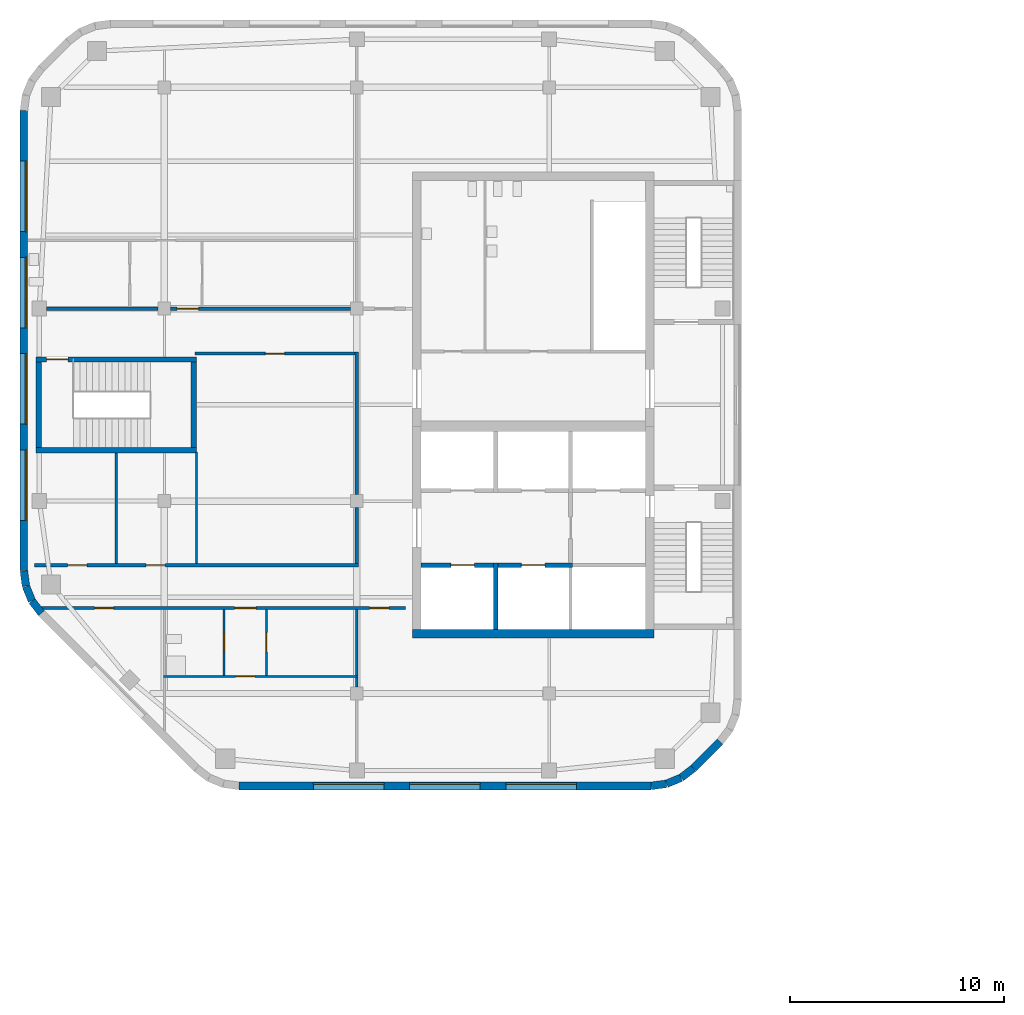
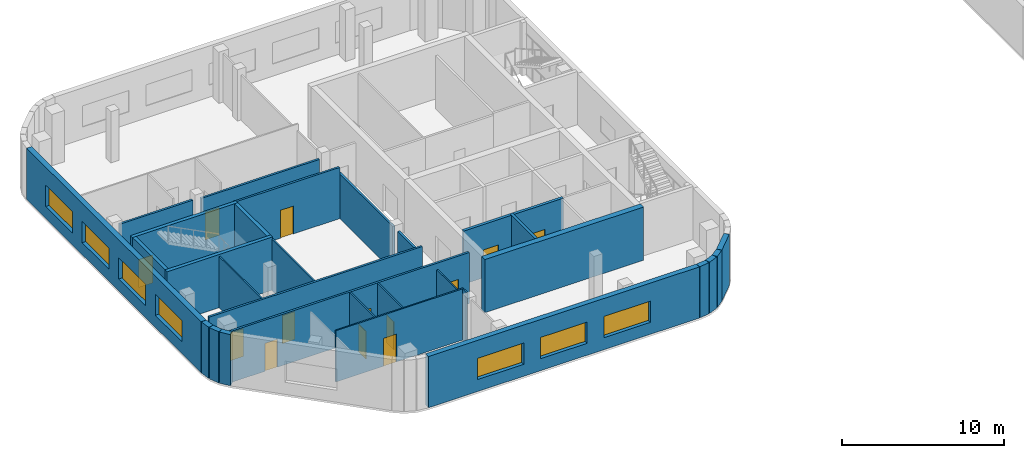
# One storey, part 5 of 14: 31 walls, 13 doors, 7 windows, 20 openings.
"""IFC4 building model written with IfcOpenShell, lengths in metres."""

from ifc_helpers import new_model, si_unit, direction, frame, frame_2d, origin, place, context, subcontext, project, spatial, rectangle, extrude, material, layer, layer_set, type_object, element, fill, save


model = new_model("IFC4")

# Units and contexts
model_context = context("Model", 3, precision=1e-05, world=origin(), true_north=direction((0.0, 1.0)))
body_context = subcontext(model_context, "Body", "Model", "MODEL_VIEW")
ifc_project = project(units=[si_unit("LENGTHUNIT", "METRE"), si_unit("AREAUNIT", "SQUARE_METRE"), si_unit("VOLUMEUNIT", "CUBIC_METRE"), si_unit("PLANEANGLEUNIT", "RADIAN"), si_unit("MASSUNIT", "GRAM", prefix="KILO")], contexts=[model_context])

# Site, building, storey
site_placement = place(None, origin())
site = spatial("IfcSite", under=ifc_project, at=site_placement, CompositionType="ELEMENT")
building_placement = place(site_placement, origin())
building = spatial("IfcBuilding", under=site, at=building_placement, Name="Cinnabar Reach Civic Tower", CompositionType="ELEMENT")
storey_placement = place(building_placement, frame((0.0, 0.0, 124.0)))
storey = spatial("IfcBuildingStorey", under=building, at=storey_placement, Name="L29", CompositionType="ELEMENT", Elevation=124.0)

# Walls
ifc_material_1 = material(Name="Facing brick with insulated backing", Category="masonry")
ifc_layer_1 = layer(ifc_material_1, 0.36)
ifc_layer_set_1 = layer_set([ifc_layer_1], Name="Brick corner wall")
wall_type_1 = type_object("IfcWallType", Name="Brick corner wall", PredefinedType="STANDARD", material=ifc_layer_set_1)
for number, where, z_axis, x_axis, name in (
    (1, (-31.2314, 13.683, 0.0), (0.0, 0.0, 1.0), (0.99144092581, 0.13055608231, 0.0), "Brick corner wall"),
    (2, (-30.5027, 13.7819, 0.0), (0.0, 0.0, 1.0), (0.923871547278, 0.382702709855, 0.0), "Brick corner wall"),
):
    element("IfcWall", number, at=place(storey_placement, frame(where, z_axis=z_axis, x_axis=x_axis)), inside=storey, type_object=wall_type_1, Name=name, PredefinedType="STANDARD", context=body_context, shape_type="SweptSolid", body=[
        extrude(rectangle(XDim=0.7131, YDim=0.36, at=frame_2d((0.3565, 0.0))), origin(), (0.0, 0.0, 1.0), 3.85),
    ])
wall_1_placement = place(storey_placement, frame((-29.8245, 14.066, 0.0), z_axis=(0.0, 0.0, 1.0), x_axis=(0.793321924995, 0.608802368033, 0.0)))
element("IfcWall", 3, at=wall_1_placement, inside=storey, type_object=wall_type_1, Name="Brick corner wall", PredefinedType="STANDARD", context=body_context, shape_type="SweptSolid", body=[
    extrude(rectangle(XDim=0.7132, YDim=0.36, at=frame_2d((0.3566, 0.0))), origin(), (0.0, 0.0, 1.0), 3.85),
])
for number, where, z_axis, x_axis, name in (
    (4, (-60.567, 23.7314, 0.0), (0.0, 0.0, 1.0), (0.13055608231, -0.99144092581, 0.0), "Brick corner wall"),
    (5, (-60.4681, 23.0027, 0.0), (0.0, 0.0, 1.0), (0.382702709855, -0.923871547278, 0.0), "Brick corner wall"),
):
    element("IfcWall", number, at=place(storey_placement, frame(where, z_axis=z_axis, x_axis=x_axis)), inside=storey, type_object=wall_type_1, Name=name, PredefinedType="STANDARD", context=body_context, shape_type="SweptSolid", body=[
        extrude(rectangle(XDim=0.7131, YDim=0.36, at=frame_2d((0.3565, 0.0))), origin(), (0.0, 0.0, 1.0), 3.85),
    ])
wall_2_placement = place(storey_placement, frame((-60.184, 22.3245, 0.0), z_axis=(0.0, 0.0, 1.0), x_axis=(0.608802368033, -0.793321924995, 0.0)))
element("IfcWall", 6, at=wall_2_placement, inside=storey, type_object=wall_type_1, Name="Brick corner wall", PredefinedType="STANDARD", context=body_context, shape_type="SweptSolid", body=[
    extrude(rectangle(XDim=0.7132, YDim=0.36, at=frame_2d((0.3566, 0.0))), origin(), (0.0, 0.0, 1.0), 3.85),
])

# Wall, openings, windows
ifc_layer_2 = layer(ifc_material_1, 0.36)
ifc_layer_set_2 = layer_set([ifc_layer_2], Name="Brick pier and spandrel wall")
wall_type_2 = type_object("IfcWallType", Name="Brick pier and spandrel wall", PredefinedType="STANDARD", material=ifc_layer_set_2)
wall_3_placement = place(storey_placement, frame((-50.5074, 13.68, 0.0), z_axis=(0.0, 0.0, 1.0), x_axis=(1.0, 0.0, 0.0)))
wall_3 = element("IfcWall", 7, at=wall_3_placement, inside=storey, type_object=wall_type_2, Name="Brick facade wall", PredefinedType="STANDARD", context=body_context, shape_type="SweptSolid", body=[
    extrude(rectangle(XDim=19.2648, YDim=0.36, at=frame_2d((9.6324, 0.0))), origin(), (0.0, 0.0, 1.0), 3.85),
])
opening_1_placement = place(wall_3_placement, frame((3.4824, 0.0, 0.9)))
opening_1 = element("IfcOpeningElement", 8, at=opening_1_placement, cuts=wall_3, Name="Opening W2751", PredefinedType="OPENING", context=body_context, shape_type="SweptSolid", body=[
    extrude(rectangle(XDim=3.3, YDim=1.6, at=frame_2d((1.65, 0.8))), frame((0.0, 0.19, 0.0), z_axis=(0.0, -1.0, 0.0), x_axis=(1.0, 0.0, 0.0)), (0.0, 0.0, 1.0), 0.38),
])
opening_2_placement = place(wall_3_placement, frame((7.9824, 0.0, 0.9)))
opening_2 = element("IfcOpeningElement", 9, at=opening_2_placement, cuts=wall_3, Name="Opening W2752", PredefinedType="OPENING", context=body_context, shape_type="SweptSolid", body=[
    extrude(rectangle(XDim=3.3, YDim=1.6, at=frame_2d((1.65, 0.8))), frame((0.0, 0.19, 0.0), z_axis=(0.0, -1.0, 0.0), x_axis=(1.0, 0.0, 0.0)), (0.0, 0.0, 1.0), 0.38),
])
opening_3_placement = place(wall_3_placement, frame((12.4824, 0.0, 0.9)))
opening_3 = element("IfcOpeningElement", 10, at=opening_3_placement, cuts=wall_3, Name="Opening W2753", PredefinedType="OPENING", context=body_context, shape_type="SweptSolid", body=[
    extrude(rectangle(XDim=3.3, YDim=1.6, at=frame_2d((1.65, 0.8))), frame((0.0, 0.19, 0.0), z_axis=(0.0, -1.0, 0.0), x_axis=(1.0, 0.0, 0.0)), (0.0, 0.0, 1.0), 0.38),
])
ifc_material_2 = material(Name="Clear double glazing in aluminium frame", Category="aluminium")
window_type = type_object("IfcWindowType", Name="Deep-set window A", PartitioningType="SINGLE_PANEL", PredefinedType="WINDOW", material=ifc_material_2)
window_1_placement = place(opening_1_placement, origin())
window_1 = element("IfcWindow", 11, at=window_1_placement, inside=storey, type_object=window_type, Name="Window south face", OverallHeight=1.6, OverallWidth=3.3, PartitioningType="SINGLE_PANEL", PredefinedType="WINDOW", context=body_context, shape_type="SweptSolid", body=[
    extrude(rectangle(XDim=3.3, YDim=1.6, at=frame_2d((1.65, 0.8))), frame((0.0, 0.13, 0.0), z_axis=(0.0, -1.0, 0.0), x_axis=(1.0, 0.0, 0.0)), (0.0, 0.0, 1.0), 0.06),
])
fill(opening_1, window_1)
window_2_placement = place(opening_2_placement, origin())
window_2 = element("IfcWindow", 12, at=window_2_placement, inside=storey, type_object=window_type, Name="Window south face", OverallHeight=1.6, OverallWidth=3.3, PartitioningType="SINGLE_PANEL", PredefinedType="WINDOW", context=body_context, shape_type="SweptSolid", body=[
    extrude(rectangle(XDim=3.3, YDim=1.6, at=frame_2d((1.65, 0.8))), frame((0.0, 0.13, 0.0), z_axis=(0.0, -1.0, 0.0), x_axis=(1.0, 0.0, 0.0)), (0.0, 0.0, 1.0), 0.06),
])
fill(opening_2, window_2)
window_3_placement = place(opening_3_placement, origin())
window_3 = element("IfcWindow", 13, at=window_3_placement, inside=storey, type_object=window_type, Name="Window south face", OverallHeight=1.6, OverallWidth=3.3, PartitioningType="SINGLE_PANEL", PredefinedType="WINDOW", context=body_context, shape_type="SweptSolid", body=[
    extrude(rectangle(XDim=3.3, YDim=1.6, at=frame_2d((1.65, 0.8))), frame((0.0, 0.13, 0.0), z_axis=(0.0, -1.0, 0.0), x_axis=(1.0, 0.0, 0.0)), (0.0, 0.0, 1.0), 0.06),
])
fill(opening_3, window_3)

# Wall
wall_4_placement = place(storey_placement, frame((-29.2486, 14.506, 0.0), z_axis=(0.0, 0.0, 1.0), x_axis=(0.707106781187, 0.707106781187, 0.0)))
element("IfcWall", 14, at=wall_4_placement, inside=storey, type_object=wall_type_2, Name="Brick facade wall", PredefinedType="STANDARD", context=body_context, shape_type="SweptSolid", body=[
    extrude(rectangle(XDim=1.7573, YDim=0.36, at=frame_2d((0.8787, 0.0))), origin(), (0.0, 0.0, 1.0), 3.85),
])

# Wall, openings, windows
wall_5_placement = place(storey_placement, frame((-60.57, 45.2574, 0.0), z_axis=(0.0, 0.0, 1.0), x_axis=(0.0, -1.0, 0.0)))
wall_5 = element("IfcWall", 15, at=wall_5_placement, inside=storey, type_object=wall_type_2, Name="Brick facade wall", PredefinedType="STANDARD", context=body_context, shape_type="SweptSolid", body=[
    extrude(rectangle(XDim=21.5148, YDim=0.36, at=frame_2d((10.7574, 0.0))), origin(), (0.0, 0.0, 1.0), 3.85),
])
opening_4_placement = place(wall_5_placement, frame((2.3574, 0.0, 0.9)))
opening_4 = element("IfcOpeningElement", 16, at=opening_4_placement, cuts=wall_5, Name="Opening W2760", PredefinedType="OPENING", context=body_context, shape_type="SweptSolid", body=[
    extrude(rectangle(XDim=3.3, YDim=1.6, at=frame_2d((1.65, 0.8))), frame((0.0, 0.19, 0.0), z_axis=(0.0, -1.0, 0.0), x_axis=(1.0, 0.0, 0.0)), (0.0, 0.0, 1.0), 0.38),
])
opening_5_placement = place(wall_5_placement, frame((6.8574, 0.0, 0.9)))
opening_5 = element("IfcOpeningElement", 17, at=opening_5_placement, cuts=wall_5, Name="Opening W2761", PredefinedType="OPENING", context=body_context, shape_type="SweptSolid", body=[
    extrude(rectangle(XDim=3.3, YDim=1.6, at=frame_2d((1.65, 0.8))), frame((0.0, 0.19, 0.0), z_axis=(0.0, -1.0, 0.0), x_axis=(1.0, 0.0, 0.0)), (0.0, 0.0, 1.0), 0.38),
])
opening_6_placement = place(wall_5_placement, frame((11.3574, 0.0, 0.9)))
opening_6 = element("IfcOpeningElement", 18, at=opening_6_placement, cuts=wall_5, Name="Opening W2762", PredefinedType="OPENING", context=body_context, shape_type="SweptSolid", body=[
    extrude(rectangle(XDim=3.3, YDim=1.6, at=frame_2d((1.65, 0.8))), frame((0.0, 0.19, 0.0), z_axis=(0.0, -1.0, 0.0), x_axis=(1.0, 0.0, 0.0)), (0.0, 0.0, 1.0), 0.38),
])
opening_7_placement = place(wall_5_placement, frame((15.8574, 0.0, 0.9)))
opening_7 = element("IfcOpeningElement", 19, at=opening_7_placement, cuts=wall_5, Name="Opening W2763", PredefinedType="OPENING", context=body_context, shape_type="SweptSolid", body=[
    extrude(rectangle(XDim=3.3, YDim=1.6, at=frame_2d((1.65, 0.8))), frame((0.0, 0.19, 0.0), z_axis=(0.0, -1.0, 0.0), x_axis=(1.0, 0.0, 0.0)), (0.0, 0.0, 1.0), 0.38),
])
window_4_placement = place(opening_4_placement, origin())
window_4 = element("IfcWindow", 20, at=window_4_placement, inside=storey, type_object=window_type, Name="Window west face", OverallHeight=1.6, OverallWidth=3.3, PartitioningType="SINGLE_PANEL", PredefinedType="WINDOW", context=body_context, shape_type="SweptSolid", body=[
    extrude(rectangle(XDim=3.3, YDim=1.6, at=frame_2d((1.65, 0.8))), frame((0.0, 0.13, 0.0), z_axis=(0.0, -1.0, 0.0), x_axis=(1.0, 0.0, 0.0)), (0.0, 0.0, 1.0), 0.06),
])
fill(opening_4, window_4)
window_5_placement = place(opening_5_placement, origin())
window_5 = element("IfcWindow", 21, at=window_5_placement, inside=storey, type_object=window_type, Name="Window west face", OverallHeight=1.6, OverallWidth=3.3, PartitioningType="SINGLE_PANEL", PredefinedType="WINDOW", context=body_context, shape_type="SweptSolid", body=[
    extrude(rectangle(XDim=3.3, YDim=1.6, at=frame_2d((1.65, 0.8))), frame((0.0, 0.13, 0.0), z_axis=(0.0, -1.0, 0.0), x_axis=(1.0, 0.0, 0.0)), (0.0, 0.0, 1.0), 0.06),
])
fill(opening_5, window_5)
window_6_placement = place(opening_6_placement, origin())
window_6 = element("IfcWindow", 22, at=window_6_placement, inside=storey, type_object=window_type, Name="Window west face", OverallHeight=1.6, OverallWidth=3.3, PartitioningType="SINGLE_PANEL", PredefinedType="WINDOW", context=body_context, shape_type="SweptSolid", body=[
    extrude(rectangle(XDim=3.3, YDim=1.6, at=frame_2d((1.65, 0.8))), frame((0.0, 0.13, 0.0), z_axis=(0.0, -1.0, 0.0), x_axis=(1.0, 0.0, 0.0)), (0.0, 0.0, 1.0), 0.06),
])
fill(opening_6, window_6)
window_7_placement = place(opening_7_placement, origin())
window_7 = element("IfcWindow", 23, at=window_7_placement, inside=storey, type_object=window_type, Name="Window west face", OverallHeight=1.6, OverallWidth=3.3, PartitioningType="SINGLE_PANEL", PredefinedType="WINDOW", context=body_context, shape_type="SweptSolid", body=[
    extrude(rectangle(XDim=3.3, YDim=1.6, at=frame_2d((1.65, 0.8))), frame((0.0, 0.13, 0.0), z_axis=(0.0, -1.0, 0.0), x_axis=(1.0, 0.0, 0.0)), (0.0, 0.0, 1.0), 0.06),
])
fill(opening_7, window_7)

# Wall
ifc_material_3 = material(Name="Concrete C60", Category="concrete")
ifc_layer_3 = layer(ifc_material_3, 0.4)
ifc_layer_set_3 = layer_set([ifc_layer_3], Name="Core wall 400 EI 180")
wall_type_3 = type_object("IfcWallType", Name="Core wall 400 EI 180", PredefinedType="SOLIDWALL", material=ifc_layer_set_3)
wall_6_placement = place(storey_placement, frame((-42.4, 20.8, 0.0), z_axis=(0.0, 0.0, 1.0), x_axis=(1.0, 0.0, 0.0)))
element("IfcWall", 24, at=wall_6_placement, inside=storey, type_object=wall_type_3, Name="Core wall T2 L29 S", PredefinedType="SOLIDWALL", context=body_context, shape_type="SweptSolid", body=[
    extrude(rectangle(XDim=11.3, YDim=0.4, at=frame_2d((5.65, 0.0))), origin(), (0.0, 0.0, 1.0), 4.0),
])

# Wall, opening, door
ifc_material_4 = material(Name="Gypsum board on steel studs, double layer", Category="steel")
ifc_layer_4 = layer(ifc_material_4, 0.15)
ifc_layer_set_4 = layer_set([ifc_layer_4], Name="Corridor wall 150 T2")
wall_type_4 = type_object("IfcWallType", Name="Corridor wall 150 T2", PredefinedType="PARTITIONING", material=ifc_layer_set_4)
wall_7_placement = place(storey_placement, frame((-53.7, 36.0, 0.0), z_axis=(0.0, 0.0, 1.0), x_axis=(1.0, 0.0, 0.0)))
wall_7 = element("IfcWall", 25, at=wall_7_placement, inside=storey, type_object=wall_type_4, Name="Corridor wall 2", PredefinedType="PARTITIONING", context=body_context, shape_type="SweptSolid", body=[
    extrude(rectangle(XDim=8.4, YDim=0.15, at=frame_2d((4.2, 0.0))), origin(), (0.0, 0.0, 1.0), 3.262),
])
opening_8_placement = place(wall_7_placement, frame((0.3, 0.0, 0.0)))
opening_8 = element("IfcOpeningElement", 26, at=opening_8_placement, cuts=wall_7, Name="Opening D7064", PredefinedType="OPENING", context=body_context, shape_type="SweptSolid", body=[
    extrude(rectangle(XDim=1.0, YDim=2.1, at=frame_2d((0.5, 1.05))), frame((0.0, 0.085, 0.0), z_axis=(0.0, -1.0, 0.0), x_axis=(1.0, 0.0, 0.0)), (0.0, 0.0, 1.0), 0.17),
])
ifc_material_5 = material(Name="Timber door leaf in steel frame", Category="steel")
door_type_1 = type_object("IfcDoorType", Name="Tenancy entrance door 1000 x 2100 T2", OperationType="SINGLE_SWING_LEFT", PredefinedType="DOOR", material=ifc_material_5)
door_1_placement = place(opening_8_placement, origin())
door_1 = element("IfcDoor", 27, at=door_1_placement, inside=storey, type_object=door_type_1, Name="Door D7064", OperationType="SINGLE_SWING_RIGHT", OverallHeight=2.1, OverallWidth=1.0, PredefinedType="DOOR", context=body_context, shape_type="SweptSolid", body=[
    extrude(rectangle(XDim=1.0, YDim=2.1, at=frame_2d((0.5, 1.05))), frame((0.0, 0.025, 0.0), z_axis=(0.0, -1.0, 0.0), x_axis=(1.0, 0.0, 0.0)), (0.0, 0.0, 1.0), 0.05),
])
fill(opening_8, door_1)

# Wall
wall_8_placement = place(storey_placement, frame((-59.5, 36.0, 0.0), z_axis=(0.0, 0.0, 1.0), x_axis=(1.0, 0.0, 0.0)))
element("IfcWall", 28, at=wall_8_placement, inside=storey, type_object=wall_type_4, Name="Corridor wall 3", PredefinedType="PARTITIONING", context=body_context, shape_type="SweptSolid", body=[
    extrude(rectangle(XDim=5.2, YDim=0.15, at=frame_2d((2.6, 0.0))), origin(), (0.0, 0.0, 1.0), 3.35),
])

# Wall, openings, doors
wall_9_placement = place(storey_placement, frame((-59.7657, 22.0, 0.0), z_axis=(0.0, 0.0, 1.0), x_axis=(1.0, 0.0, 0.0)))
wall_9 = element("IfcWall", 29, at=wall_9_placement, inside=storey, type_object=wall_type_4, Name="Corridor wall 4", PredefinedType="PARTITIONING", context=body_context, shape_type="SweptSolid", body=[
    extrude(rectangle(XDim=17.0407, YDim=0.15, at=frame_2d((8.5204, 0.0))), origin(), (0.0, 0.0, 1.0), 3.85),
])
opening_9_placement = place(wall_9_placement, frame((15.3657, 0.0, 0.0)))
opening_9 = element("IfcOpeningElement", 30, at=opening_9_placement, cuts=wall_9, Name="Opening D7055", PredefinedType="OPENING", context=body_context, shape_type="SweptSolid", body=[
    extrude(rectangle(XDim=0.9, YDim=2.1, at=frame_2d((0.45, 1.05))), frame((0.0, 0.085, 0.0), z_axis=(0.0, -1.0, 0.0), x_axis=(1.0, 0.0, 0.0)), (0.0, 0.0, 1.0), 0.17),
])
opening_10_placement = place(wall_9_placement, frame((2.5, 0.0, 0.0)))
opening_10 = element("IfcOpeningElement", 31, at=opening_10_placement, cuts=wall_9, Name="Opening D7056", PredefinedType="OPENING", context=body_context, shape_type="SweptSolid", body=[
    extrude(rectangle(XDim=0.9, YDim=2.1, at=frame_2d((0.45, 1.05))), frame((0.0, 0.085, 0.0), z_axis=(0.0, -1.0, 0.0), x_axis=(1.0, 0.0, 0.0)), (0.0, 0.0, 1.0), 0.17),
])
opening_11_placement = place(wall_9_placement, frame((9.0557, 0.0, 0.0)))
opening_11 = element("IfcOpeningElement", 32, at=opening_11_placement, cuts=wall_9, Name="Opening D7060", PredefinedType="OPENING", context=body_context, shape_type="SweptSolid", body=[
    extrude(rectangle(XDim=1.0, YDim=2.1, at=frame_2d((0.5, 1.05))), frame((0.0, 0.085, 0.0), z_axis=(0.0, -1.0, 0.0), x_axis=(1.0, 0.0, 0.0)), (0.0, 0.0, 1.0), 0.17),
])
door_type_2 = type_object("IfcDoorType", Name="Single swing door 900 x 2100 T2", OperationType="SINGLE_SWING_LEFT", PredefinedType="DOOR", material=ifc_material_5)
door_2_placement = place(opening_9_placement, frame((0.9, 0.0, 0.0), z_axis=(0.0, 0.0, 1.0), x_axis=(-1.0, 0.0, 0.0)))
door_2 = element("IfcDoor", 33, at=door_2_placement, inside=storey, type_object=door_type_2, Name="Door D7055", OperationType="SINGLE_SWING_RIGHT", OverallHeight=2.1, OverallWidth=0.9, PredefinedType="DOOR", context=body_context, shape_type="SweptSolid", body=[
    extrude(rectangle(XDim=0.9, YDim=2.1, at=frame_2d((0.45, 1.05))), frame((0.0, 0.025, 0.0), z_axis=(0.0, -1.0, 0.0), x_axis=(1.0, 0.0, 0.0)), (0.0, 0.0, 1.0), 0.05),
])
fill(opening_9, door_2)
door_3_placement = place(opening_10_placement, frame((0.9, 0.0, 0.0), z_axis=(0.0, 0.0, 1.0), x_axis=(-1.0, 0.0, 0.0)))
door_3 = element("IfcDoor", 34, at=door_3_placement, inside=storey, type_object=door_type_2, Name="Door D7056", OperationType="SINGLE_SWING_LEFT", OverallHeight=2.1, OverallWidth=0.9, PredefinedType="DOOR", context=body_context, shape_type="SweptSolid", body=[
    extrude(rectangle(XDim=0.9, YDim=2.1, at=frame_2d((0.45, 1.05))), frame((0.0, 0.025, 0.0), z_axis=(0.0, -1.0, 0.0), x_axis=(1.0, 0.0, 0.0)), (0.0, 0.0, 1.0), 0.05),
])
fill(opening_10, door_3)
door_4_placement = place(opening_11_placement, frame((1.0, 0.0, 0.0), z_axis=(0.0, 0.0, 1.0), x_axis=(-1.0, 0.0, 0.0)))
door_4 = element("IfcDoor", 35, at=door_4_placement, inside=storey, type_object=door_type_1, Name="Door D7060", OperationType="SINGLE_SWING_RIGHT", OverallHeight=2.1, OverallWidth=1.0, PredefinedType="DOOR", context=body_context, shape_type="SweptSolid", body=[
    extrude(rectangle(XDim=1.0, YDim=2.1, at=frame_2d((0.5, 1.05))), frame((0.0, 0.025, 0.0), z_axis=(0.0, -1.0, 0.0), x_axis=(1.0, 0.0, 0.0)), (0.0, 0.0, 1.0), 0.05),
])
fill(opening_11, door_4)

wall_10_placement = place(storey_placement, frame((-60.075, 24.0, 0.0), z_axis=(0.0, 0.0, 1.0), x_axis=(1.0, 0.0, 0.0)))
wall_10 = element("IfcWall", 36, at=wall_10_placement, inside=storey, type_object=wall_type_4, Name="Corridor wall 5", PredefinedType="PARTITIONING", context=body_context, shape_type="SweptSolid", body=[
    extrude(rectangle(XDim=15.15, YDim=0.15, at=frame_2d((7.575, 0.0))), origin(), (0.0, 0.0, 1.0), 3.85),
])
opening_12_placement = place(wall_10_placement, frame((1.55, 0.0, 0.0)))
opening_12 = element("IfcOpeningElement", 37, at=opening_12_placement, cuts=wall_10, Name="Opening D7065", PredefinedType="OPENING", context=body_context, shape_type="SweptSolid", body=[
    extrude(rectangle(XDim=0.9, YDim=2.1, at=frame_2d((0.45, 1.05))), frame((0.0, 0.085, 0.0), z_axis=(0.0, -1.0, 0.0), x_axis=(1.0, 0.0, 0.0)), (0.0, 0.0, 1.0), 0.17),
])
opening_13_placement = place(wall_10_placement, frame((5.225, 0.0, 0.0)))
opening_13 = element("IfcOpeningElement", 38, at=opening_13_placement, cuts=wall_10, Name="Opening D7066", PredefinedType="OPENING", context=body_context, shape_type="SweptSolid", body=[
    extrude(rectangle(XDim=0.9, YDim=2.1, at=frame_2d((0.45, 1.05))), frame((0.0, 0.085, 0.0), z_axis=(0.0, -1.0, 0.0), x_axis=(1.0, 0.0, 0.0)), (0.0, 0.0, 1.0), 0.17),
])
door_5_placement = place(opening_12_placement, origin())
door_5 = element("IfcDoor", 39, at=door_5_placement, inside=storey, type_object=door_type_2, Name="Door D7065", OperationType="SINGLE_SWING_RIGHT", OverallHeight=2.1, OverallWidth=0.9, PredefinedType="DOOR", context=body_context, shape_type="SweptSolid", body=[
    extrude(rectangle(XDim=0.9, YDim=2.1, at=frame_2d((0.45, 1.05))), frame((0.0, 0.025, 0.0), z_axis=(0.0, -1.0, 0.0), x_axis=(1.0, 0.0, 0.0)), (0.0, 0.0, 1.0), 0.05),
])
fill(opening_12, door_5)
door_6_placement = place(opening_13_placement, origin())
door_6 = element("IfcDoor", 40, at=door_6_placement, inside=storey, type_object=door_type_2, Name="Door D7066", OperationType="SINGLE_SWING_RIGHT", OverallHeight=2.1, OverallWidth=0.9, PredefinedType="DOOR", context=body_context, shape_type="SweptSolid", body=[
    extrude(rectangle(XDim=0.9, YDim=2.1, at=frame_2d((0.45, 1.05))), frame((0.0, 0.025, 0.0), z_axis=(0.0, -1.0, 0.0), x_axis=(1.0, 0.0, 0.0)), (0.0, 0.0, 1.0), 0.05),
])
fill(opening_13, door_6)

# Walls
wall_11_placement = place(storey_placement, frame((-45.0, 24.075, 0.0), z_axis=(0.0, 0.0, 1.0), x_axis=(0.0, 1.0, 0.0)))
element("IfcWall", 41, at=wall_11_placement, inside=storey, type_object=wall_type_4, Name="Corridor wall 6", PredefinedType="PARTITIONING", context=body_context, shape_type="SweptSolid", body=[
    extrude(rectangle(XDim=2.625, YDim=0.15, at=frame_2d((1.3125, 0.0))), origin(), (0.0, 0.0, 1.0), 3.362),
])
wall_12_placement = place(storey_placement, frame((-45.0, 27.3, 0.0), z_axis=(0.0, 0.0, 1.0), x_axis=(0.0, 1.0, 0.0)))
element("IfcWall", 42, at=wall_12_placement, inside=storey, type_object=wall_type_4, Name="Corridor wall 7", PredefinedType="PARTITIONING", context=body_context, shape_type="SweptSolid", body=[
    extrude(rectangle(XDim=6.675, YDim=0.15, at=frame_2d((3.3375, 0.0))), origin(), (0.0, 0.0, 1.0), 3.362),
])

# Wall, opening, door
wall_13_placement = place(storey_placement, frame((-52.575, 33.9, 0.0), z_axis=(0.0, 0.0, 1.0), x_axis=(1.0, 0.0, 0.0)))
wall_13 = element("IfcWall", 43, at=wall_13_placement, inside=storey, type_object=wall_type_4, Name="Corridor wall 8", PredefinedType="PARTITIONING", context=body_context, shape_type="SweptSolid", body=[
    extrude(rectangle(XDim=7.5, YDim=0.15, at=frame_2d((3.75, 0.0))), origin(), (0.0, 0.0, 1.0), 3.85),
])
opening_14_placement = place(wall_13_placement, frame((3.3, 0.0, 0.0)))
opening_14 = element("IfcOpeningElement", 44, at=opening_14_placement, cuts=wall_13, Name="Opening D7067", PredefinedType="OPENING", context=body_context, shape_type="SweptSolid", body=[
    extrude(rectangle(XDim=0.9, YDim=2.1, at=frame_2d((0.45, 1.05))), frame((0.0, 0.085, 0.0), z_axis=(0.0, -1.0, 0.0), x_axis=(1.0, 0.0, 0.0)), (0.0, 0.0, 1.0), 0.17),
])
door_7_placement = place(opening_14_placement, frame((0.9, 0.0, 0.0), z_axis=(0.0, 0.0, 1.0), x_axis=(-1.0, 0.0, 0.0)))
door_7 = element("IfcDoor", 45, at=door_7_placement, inside=storey, type_object=door_type_2, Name="Door D7067", OperationType="SINGLE_SWING_RIGHT", OverallHeight=2.1, OverallWidth=0.9, PredefinedType="DOOR", context=body_context, shape_type="SweptSolid", body=[
    extrude(rectangle(XDim=0.9, YDim=2.1, at=frame_2d((0.45, 1.05))), frame((0.0, 0.025, 0.0), z_axis=(0.0, -1.0, 0.0), x_axis=(1.0, 0.0, 0.0)), (0.0, 0.0, 1.0), 0.05),
])
fill(opening_14, door_7)

ifc_material_6 = material(Name="Gypsum board on steel studs", Category="steel")
ifc_layer_5 = layer(ifc_material_6, 0.1)
ifc_layer_set_5 = layer_set([ifc_layer_5], Name="Partition wall 100 T2")
wall_type_5 = type_object("IfcWallType", Name="Partition wall 100 T2", PredefinedType="PARTITIONING", material=ifc_layer_set_5)
wall_14_placement = place(storey_placement, frame((-54.05, 18.8, 0.0), z_axis=(0.0, 0.0, 1.0), x_axis=(1.0, 0.0, 0.0)))
wall_14 = element("IfcWall", 46, at=wall_14_placement, inside=storey, type_object=wall_type_5, Name="Partition wall 13", PredefinedType="PARTITIONING", context=body_context, shape_type="SweptSolid", body=[
    extrude(rectangle(XDim=9.1, YDim=0.1, at=frame_2d((4.55, 0.0))), origin(), (0.0, 0.0, 1.0), 3.85),
])
opening_15_placement = place(wall_14_placement, frame((3.39, 0.0, 0.0)))
opening_15 = element("IfcOpeningElement", 47, at=opening_15_placement, cuts=wall_14, Name="Opening D7059", PredefinedType="OPENING", context=body_context, shape_type="SweptSolid", body=[
    extrude(rectangle(XDim=0.9, YDim=2.1, at=frame_2d((0.45, 1.05))), frame((0.0, 0.06, 0.0), z_axis=(0.0, -1.0, 0.0), x_axis=(1.0, 0.0, 0.0)), (0.0, 0.0, 1.0), 0.12),
])
door_8_placement = place(opening_15_placement, origin())
door_8 = element("IfcDoor", 48, at=door_8_placement, inside=storey, type_object=door_type_2, Name="Door D7059", OperationType="SINGLE_SWING_RIGHT", OverallHeight=2.1, OverallWidth=0.9, PredefinedType="DOOR", context=body_context, shape_type="SweptSolid", body=[
    extrude(rectangle(XDim=0.9, YDim=2.1, at=frame_2d((0.45, 1.05))), frame((0.0, 0.025, 0.0), z_axis=(0.0, -1.0, 0.0), x_axis=(1.0, 0.0, 0.0)), (0.0, 0.0, 1.0), 0.05),
])
fill(opening_15, door_8)

# Walls
wall_15_placement = place(storey_placement, frame((-45.0, 18.85, 0.0), z_axis=(0.0, 0.0, 1.0), x_axis=(0.0, 1.0, 0.0)))
element("IfcWall", 49, at=wall_15_placement, inside=storey, type_object=wall_type_5, Name="Partition wall 14", PredefinedType="PARTITIONING", context=body_context, shape_type="SweptSolid", body=[
    extrude(rectangle(XDim=3.075, YDim=0.1, at=frame_2d((1.5375, 0.0))), origin(), (0.0, 0.0, 1.0), 3.362),
])
wall_16_placement = place(storey_placement, frame((-45.0, 18.3, 0.0), z_axis=(0.0, 0.0, 1.0), x_axis=(0.0, 1.0, 0.0)))
element("IfcWall", 50, at=wall_16_placement, inside=storey, type_object=wall_type_5, Name="Partition wall 15", PredefinedType="PARTITIONING", context=body_context, shape_type="SweptSolid", body=[
    extrude(rectangle(XDim=0.45, YDim=0.1, at=frame_2d((0.225, 0.0))), origin(), (0.0, 0.0, 1.0), 3.85),
])
wall_17_placement = place(storey_placement, frame((-56.25, 24.075, 0.0), z_axis=(0.0, 0.0, 1.0), x_axis=(0.0, 1.0, 0.0)))
element("IfcWall", 51, at=wall_17_placement, inside=storey, type_object=wall_type_5, Name="Partition wall 19", PredefinedType="PARTITIONING", context=body_context, shape_type="SweptSolid", body=[
    extrude(rectangle(XDim=5.175, YDim=0.1, at=frame_2d((2.5875, 0.0))), origin(), (0.0, 0.0, 1.0), 3.85),
])
wall_18_placement = place(storey_placement, frame((-52.5, 24.075, 0.0), z_axis=(0.0, 0.0, 1.0), x_axis=(0.0, 1.0, 0.0)))
element("IfcWall", 52, at=wall_18_placement, inside=storey, type_object=wall_type_5, Name="Partition wall 20", PredefinedType="PARTITIONING", context=body_context, shape_type="SweptSolid", body=[
    extrude(rectangle(XDim=5.225, YDim=0.1, at=frame_2d((2.6125, 0.0))), origin(), (0.0, 0.0, 1.0), 3.85),
])

# Wall, opening, door
wall_19_placement = place(storey_placement, frame((-51.21, 18.85, 0.0), z_axis=(0.0, 0.0, 1.0), x_axis=(0.0, 1.0, 0.0)))
wall_19 = element("IfcWall", 53, at=wall_19_placement, inside=storey, type_object=wall_type_5, Name="Partition wall 23", PredefinedType="PARTITIONING", context=body_context, shape_type="SweptSolid", body=[
    extrude(rectangle(XDim=3.075, YDim=0.1, at=frame_2d((1.5375, 0.0))), origin(), (0.0, 0.0, 1.0), 3.85),
])
opening_16_placement = place(wall_19_placement, frame((1.1, 0.0, 0.0)))
opening_16 = element("IfcOpeningElement", 54, at=opening_16_placement, cuts=wall_19, Name="Opening D7057", PredefinedType="OPENING", context=body_context, shape_type="SweptSolid", body=[
    extrude(rectangle(XDim=0.9, YDim=2.1, at=frame_2d((0.45, 1.05))), frame((0.0, 0.06, 0.0), z_axis=(0.0, -1.0, 0.0), x_axis=(1.0, 0.0, 0.0)), (0.0, 0.0, 1.0), 0.12),
])
door_9_placement = place(opening_16_placement, origin())
door_9 = element("IfcDoor", 55, at=door_9_placement, inside=storey, type_object=door_type_2, Name="Door D7057", OperationType="SINGLE_SWING_RIGHT", OverallHeight=2.1, OverallWidth=0.9, PredefinedType="DOOR", context=body_context, shape_type="SweptSolid", body=[
    extrude(rectangle(XDim=0.9, YDim=2.1, at=frame_2d((0.45, 1.05))), frame((0.0, 0.025, 0.0), z_axis=(0.0, -1.0, 0.0), x_axis=(1.0, 0.0, 0.0)), (0.0, 0.0, 1.0), 0.05),
])
fill(opening_16, door_9)

wall_20_placement = place(storey_placement, frame((-49.23, 18.85, 0.0), z_axis=(0.0, 0.0, 1.0), x_axis=(0.0, 1.0, 0.0)))
wall_20 = element("IfcWall", 56, at=wall_20_placement, inside=storey, type_object=wall_type_5, Name="Partition wall 24", PredefinedType="PARTITIONING", context=body_context, shape_type="SweptSolid", body=[
    extrude(rectangle(XDim=3.075, YDim=0.1, at=frame_2d((1.5375, 0.0))), origin(), (0.0, 0.0, 1.0), 3.85),
])
opening_17_placement = place(wall_20_placement, frame((1.1, 0.0, 0.0)))
opening_17 = element("IfcOpeningElement", 57, at=opening_17_placement, cuts=wall_20, Name="Opening D7058", PredefinedType="OPENING", context=body_context, shape_type="SweptSolid", body=[
    extrude(rectangle(XDim=0.9, YDim=2.1, at=frame_2d((0.45, 1.05))), frame((0.0, 0.06, 0.0), z_axis=(0.0, -1.0, 0.0), x_axis=(1.0, 0.0, 0.0)), (0.0, 0.0, 1.0), 0.12),
])
door_10_placement = place(opening_17_placement, origin())
door_10 = element("IfcDoor", 58, at=door_10_placement, inside=storey, type_object=door_type_2, Name="Door D7058", OperationType="SINGLE_SWING_LEFT", OverallHeight=2.1, OverallWidth=0.9, PredefinedType="DOOR", context=body_context, shape_type="SweptSolid", body=[
    extrude(rectangle(XDim=0.9, YDim=2.1, at=frame_2d((0.45, 1.05))), frame((0.0, 0.025, 0.0), z_axis=(0.0, -1.0, 0.0), x_axis=(1.0, 0.0, 0.0)), (0.0, 0.0, 1.0), 0.05),
])
fill(opening_17, door_10)

# Wall
ifc_layer_6 = layer(ifc_material_3, 0.25)
ifc_layer_set_6 = layer_set([ifc_layer_6], Name="Stair shaft wall 250 EI 120")
wall_type_6 = type_object("IfcWallType", Name="Stair shaft wall 250 EI 120", PredefinedType="SOLIDWALL", material=ifc_layer_set_6)
wall_21_placement = place(storey_placement, frame((-60.0, 29.375, 0.0), z_axis=(0.0, 0.0, 1.0), x_axis=(1.0, 0.0, 0.0)))
element("IfcWall", 59, at=wall_21_placement, inside=storey, type_object=wall_type_6, Name="Stair shaft wall T2-S3 L29", PredefinedType="SOLIDWALL", context=body_context, shape_type="SweptSolid", body=[
    extrude(rectangle(XDim=7.5, YDim=0.25, at=frame_2d((3.75, 0.0))), origin(), (0.0, 0.0, 1.0), 4.0),
])

# Wall, opening, door
wall_22_placement = place(storey_placement, frame((-52.5, 33.625, 0.0), z_axis=(0.0, 0.0, 1.0), x_axis=(-1.0, 0.0, 0.0)))
wall_22 = element("IfcWall", 60, at=wall_22_placement, inside=storey, type_object=wall_type_6, Name="Stair shaft wall T2-S3 L29", PredefinedType="SOLIDWALL", context=body_context, shape_type="SweptSolid", body=[
    extrude(rectangle(XDim=7.5, YDim=0.25, at=frame_2d((3.75, 0.0))), origin(), (0.0, 0.0, 1.0), 4.0),
])
opening_18_placement = place(wall_22_placement, frame((6.0, 0.0, 0.0)))
opening_18 = element("IfcOpeningElement", 61, at=opening_18_placement, cuts=wall_22, Name="Opening D7068", PredefinedType="OPENING", context=body_context, shape_type="SweptSolid", body=[
    extrude(rectangle(XDim=1.0, YDim=2.1, at=frame_2d((0.5, 1.05))), frame((0.0, 0.135, 0.0), z_axis=(0.0, -1.0, 0.0), x_axis=(1.0, 0.0, 0.0)), (0.0, 0.0, 1.0), 0.27),
])
door_type_3 = type_object("IfcDoorType", Name="Stair door 1000 x 2100 T2", OperationType="SINGLE_SWING_LEFT", PredefinedType="DOOR", material=ifc_material_5)
door_11_placement = place(opening_18_placement, origin())
door_11 = element("IfcDoor", 62, at=door_11_placement, inside=storey, type_object=door_type_3, Name="Door D7068", OperationType="SINGLE_SWING_RIGHT", OverallHeight=2.1, OverallWidth=1.0, PredefinedType="DOOR", context=body_context, shape_type="SweptSolid", body=[
    extrude(rectangle(XDim=1.0, YDim=2.1, at=frame_2d((0.5, 1.05))), frame((0.0, 0.025, 0.0), z_axis=(0.0, -1.0, 0.0), x_axis=(1.0, 0.0, 0.0)), (0.0, 0.0, 1.0), 0.05),
])
fill(opening_18, door_11)

# Walls
for number, where, z_axis, x_axis, name in (
    (63, (-52.625, 29.5, 0.0), (0.0, 0.0, 1.0), (0.0, 1.0, 0.0), "Stair shaft wall T2-S3 L29"),
    (64, (-59.875, 33.5, 0.0), (0.0, 0.0, 1.0), (0.0, -1.0, 0.0), "Stair shaft wall T2-S3 L29"),
):
    element("IfcWall", number, at=place(storey_placement, frame(where, z_axis=z_axis, x_axis=x_axis)), inside=storey, type_object=wall_type_6, Name=name, PredefinedType="SOLIDWALL", context=body_context, shape_type="SweptSolid", body=[
        extrude(rectangle(XDim=4.0, YDim=0.25, at=frame_2d((2.0, 0.0))), origin(), (0.0, 0.0, 1.0), 4.0),
    ])
ifc_material_7 = material(Name="Concrete C40", Category="concrete")
ifc_layer_7 = layer(ifc_material_7, 0.2)
ifc_layer_set_7 = layer_set([ifc_layer_7], Name="T2 Shaft wall 200")
wall_type_7 = type_object("IfcWallType", Name="T2 Shaft wall 200", PredefinedType="SOLIDWALL", material=ifc_layer_set_7)
wall_23_placement = place(storey_placement, frame((-38.5, 21.0, 0.0), z_axis=(0.0, 0.0, 1.0), x_axis=(0.0, 1.0, 0.0)))
element("IfcWall", 65, at=wall_23_placement, inside=storey, type_object=wall_type_7, Name="T2 Shaft wall L29 001", PredefinedType="SOLIDWALL", context=body_context, shape_type="SweptSolid", body=[
    extrude(rectangle(XDim=3.1, YDim=0.2, at=frame_2d((1.55, 0.0))), origin(), (0.0, 0.0, 1.0), 4.0),
])

# Wall, opening, door
wall_24_placement = place(storey_placement, frame((-38.6, 24.0, 0.0), z_axis=(0.0, 0.0, 1.0), x_axis=(-1.0, 0.0, 0.0)))
wall_24 = element("IfcWall", 66, at=wall_24_placement, inside=storey, type_object=wall_type_7, Name="T2 Shaft wall L29 002", PredefinedType="SOLIDWALL", context=body_context, shape_type="SweptSolid", body=[
    extrude(rectangle(XDim=3.4, YDim=0.2, at=frame_2d((1.7, 0.0))), origin(), (0.0, 0.0, 1.0), 4.0),
])
opening_19_placement = place(wall_24_placement, frame((0.9, 0.0, 0.0)))
opening_19 = element("IfcOpeningElement", 67, at=opening_19_placement, cuts=wall_24, Name="Opening D7040", PredefinedType="OPENING", context=body_context, shape_type="SweptSolid", body=[
    extrude(rectangle(XDim=1.1, YDim=2.1, at=frame_2d((0.55, 1.05))), frame((0.0, 0.11, 0.0), z_axis=(0.0, -1.0, 0.0), x_axis=(1.0, 0.0, 0.0)), (0.0, 0.0, 1.0), 0.22),
])
ifc_material_8 = material(Name="Steel fire door", Category="steel")
door_type_4 = type_object("IfcDoorType", Name="T2 Lift landing door 1100", OperationType="SLIDING_TO_LEFT", PredefinedType="DOOR", material=ifc_material_8)
door_12_placement = place(opening_19_placement, origin())
door_12 = element("IfcDoor", 68, at=door_12_placement, inside=storey, type_object=door_type_4, Name="T2 Lift landing door D7040", OperationType="SLIDING_TO_LEFT", OverallHeight=2.1, OverallWidth=1.1, PredefinedType="DOOR", context=body_context, shape_type="SweptSolid", body=[
    extrude(rectangle(XDim=1.1, YDim=2.1, at=frame_2d((0.55, 1.05))), frame((0.0, 0.025, 0.0), z_axis=(0.0, -1.0, 0.0), x_axis=(1.0, 0.0, 0.0)), (0.0, 0.0, 1.0), 0.05),
])
fill(opening_19, door_12)

wall_25_placement = place(storey_placement, frame((-34.9, 24.0, 0.0), z_axis=(0.0, 0.0, 1.0), x_axis=(-1.0, 0.0, 0.0)))
wall_25 = element("IfcWall", 69, at=wall_25_placement, inside=storey, type_object=wall_type_7, Name="T2 Shaft wall L29 003", PredefinedType="SOLIDWALL", context=body_context, shape_type="SweptSolid", body=[
    extrude(rectangle(XDim=3.5, YDim=0.2, at=frame_2d((1.75, 0.0))), origin(), (0.0, 0.0, 1.0), 4.0),
])
opening_20_placement = place(wall_25_placement, frame((1.3, 0.0, 0.0)))
opening_20 = element("IfcOpeningElement", 70, at=opening_20_placement, cuts=wall_25, Name="Opening D7041", PredefinedType="OPENING", context=body_context, shape_type="SweptSolid", body=[
    extrude(rectangle(XDim=1.1, YDim=2.1, at=frame_2d((0.55, 1.05))), frame((0.0, 0.11, 0.0), z_axis=(0.0, -1.0, 0.0), x_axis=(1.0, 0.0, 0.0)), (0.0, 0.0, 1.0), 0.22),
])
door_13_placement = place(opening_20_placement, origin())
door_13 = element("IfcDoor", 71, at=door_13_placement, inside=storey, type_object=door_type_4, Name="T2 Lift landing door D7041", OperationType="SLIDING_TO_LEFT", OverallHeight=2.1, OverallWidth=1.1, PredefinedType="DOOR", context=body_context, shape_type="SweptSolid", body=[
    extrude(rectangle(XDim=1.1, YDim=2.1, at=frame_2d((0.55, 1.05))), frame((0.0, 0.025, 0.0), z_axis=(0.0, -1.0, 0.0), x_axis=(1.0, 0.0, 0.0)), (0.0, 0.0, 1.0), 0.05),
])
fill(opening_20, door_13)

save(model, "model.ifc")
